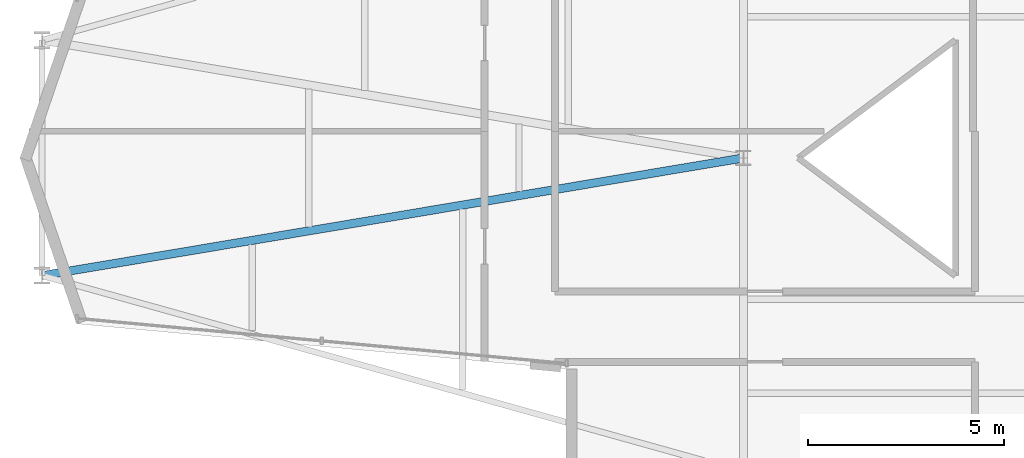
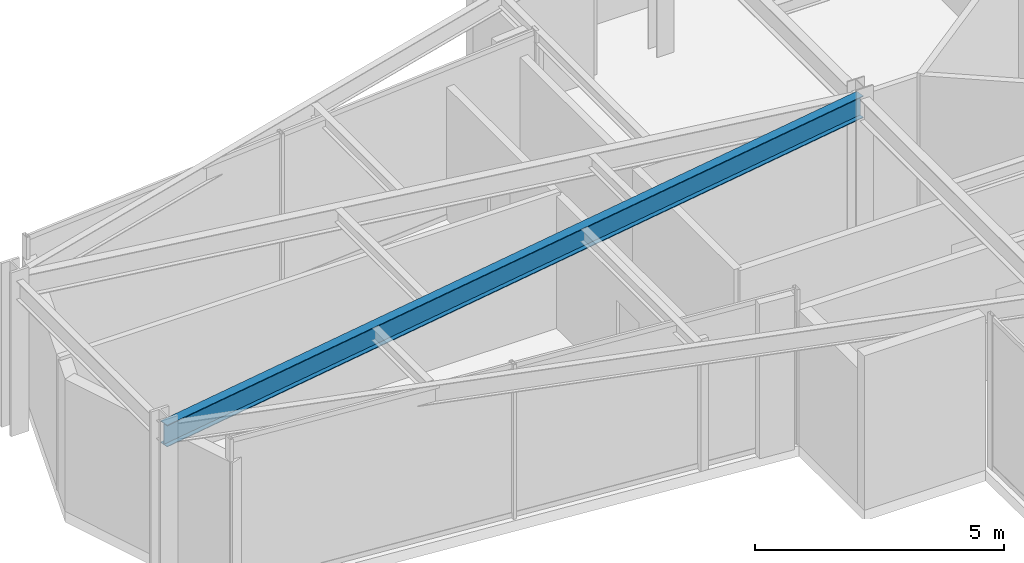
# One storey, part 5 of 22: 1 beam.
"""IFC4 building model written with IfcOpenShell, lengths in metres."""

from ifc_helpers import new_model, si_unit, direction, frame, origin, origin_2d, place, context, subcontext, project, spatial, i_section, extrude, material, material_profile, profile_set, type_object, element, save


model = new_model("IFC4")

# Units and contexts
model_context = context("Model", 3, precision=1e-05, world=origin(), true_north=direction((0.0, 1.0)))
body_context = subcontext(model_context, "Body", "Model", "MODEL_VIEW")
ifc_project = project(units=[si_unit("LENGTHUNIT", "METRE"), si_unit("AREAUNIT", "SQUARE_METRE"), si_unit("VOLUMEUNIT", "CUBIC_METRE"), si_unit("PLANEANGLEUNIT", "RADIAN"), si_unit("MASSUNIT", "GRAM", prefix="KILO")], contexts=[model_context])

# Site, building, storey
site_placement = place(None, origin())
site = spatial("IfcSite", under=ifc_project, at=site_placement, CompositionType="ELEMENT")
building_placement = place(site_placement, origin())
building = spatial("IfcBuilding", under=site, at=building_placement, Name="Veymaron Broadcast Tower", CompositionType="ELEMENT")
storey_placement = place(building_placement, frame((0.0, 0.0, 208.050048828125)))
storey = spatial("IfcBuildingStorey", under=building, at=storey_placement, Name="L48", CompositionType="ELEMENT", Elevation=208.050048828125)

# Beam
ifc_material = material(Name="Structural steel ASTM A992 Gr 50", Category="steel")
ifc_material_profile = material_profile(ifc_material, i_section(OverallWidth=0.2099609375, OverallDepth=0.537109375, WebThickness=0.010986328125, FlangeThickness=0.017333984375, at=origin_2d()), Name="W530X101")
ifc_profile_set = profile_set([ifc_material_profile], Name="Structural steel ASTM A992 Gr 50")
beam_type = type_object("IfcBeamType", Name="BM-FG3", PredefinedType="BEAM", material=ifc_profile_set)
beam_placement = place(storey_placement, frame((13.320068359375, 21.0, 3.521484375), z_axis=(0.986214273988, 0.165473278152, 0.0), x_axis=(-0.165473278152, 0.986214273988, 0.0)))
element("IfcBeam", 1, at=beam_placement, inside=storey, type_object=beam_type, Name="L48 primary structural floor girder", PredefinedType="BEAM", context=body_context, shape_type="SweptSolid", body=[
    extrude(i_section(OverallWidth=0.2099609375, OverallDepth=0.537109375, WebThickness=0.010986328125, FlangeThickness=0.017333984375, at=origin_2d()), origin(), (0.0, 0.0, 1.0), 18.1298828125),
])

save(model, "model.ifc")
